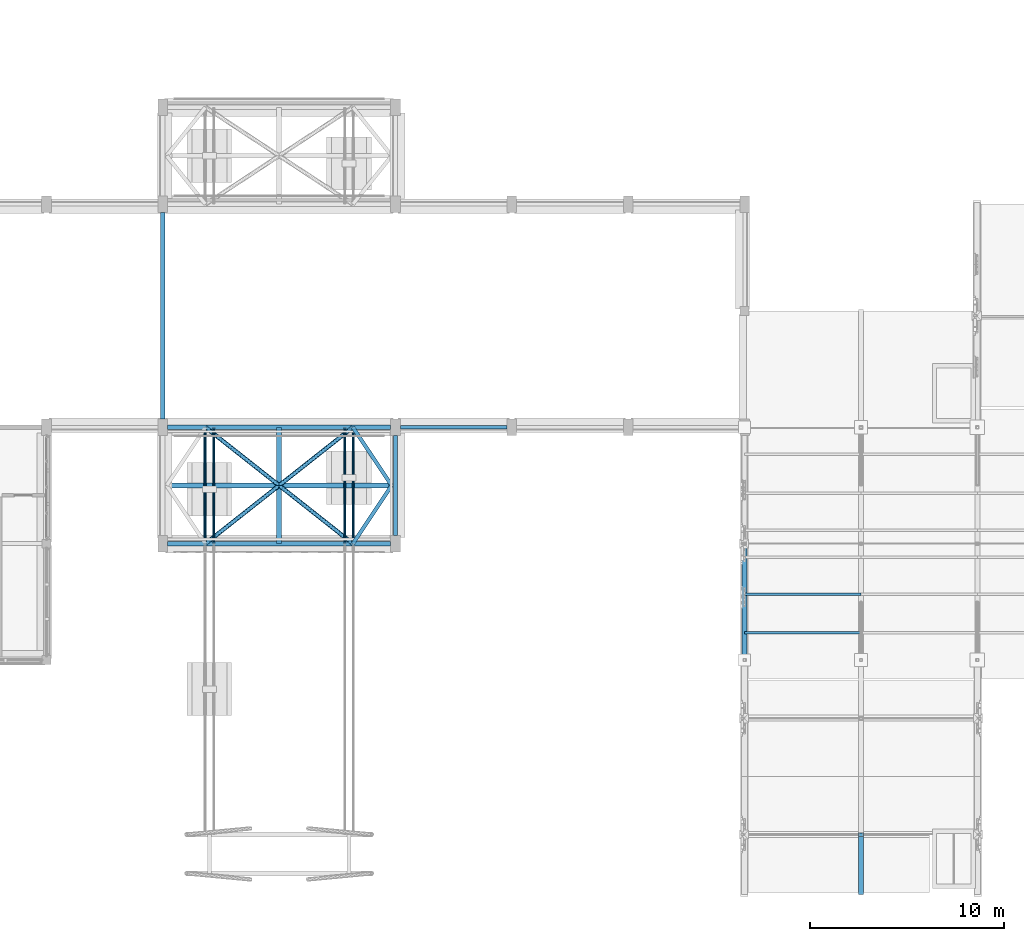
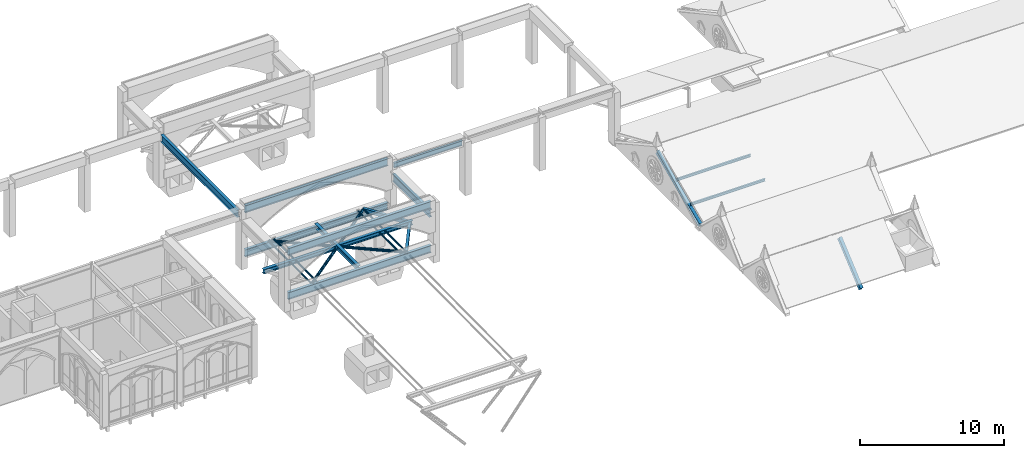
# One storey, part 24 of 59: 16 members, 7 beams.
"""IFC4 building model written with IfcOpenShell, lengths in metres."""

from ifc_helpers import new_model, si_unit, direction, frame, origin, origin_2d, place, context, subcontext, project, spatial, hollow_rectangle, hollow_circle, i_section, extrude, material, material_profile, profile_set, type_object, element, save


model = new_model("IFC4")

# Units and contexts
model_context = context("Model", 3, precision=1e-05, world=origin(), true_north=direction((0.0, 1.0)))
body_context = subcontext(model_context, "Body", "Model", "MODEL_VIEW")
ifc_project = project(units=[si_unit("LENGTHUNIT", "METRE"), si_unit("AREAUNIT", "SQUARE_METRE"), si_unit("VOLUMEUNIT", "CUBIC_METRE"), si_unit("PLANEANGLEUNIT", "RADIAN"), si_unit("MASSUNIT", "GRAM", prefix="KILO")], contexts=[model_context])

# Site, building, storey
site_placement = place(None, origin())
site = spatial("IfcSite", under=ifc_project, at=site_placement, CompositionType="ELEMENT")
building_placement = place(site_placement, origin())
building = spatial("IfcBuilding", under=site, at=building_placement, Name="Cumevento Cable Car Station", CompositionType="ELEMENT")
storey_placement = place(building_placement, frame((0.0, 0.0, 18.0)))
storey = spatial("IfcBuildingStorey", under=building, at=storey_placement, Name="L05", CompositionType="ELEMENT", Elevation=18.0)

# Members
ifc_material_1 = material(Name="Steel ASTM A572 Grade 50", Category="steel")
ifc_material_profile_1 = material_profile(ifc_material_1, hollow_circle(Radius=0.06982421875, WallThickness=0.008056640625, at=origin_2d()), Name="CHS139.7x8.0")
ifc_profile_set_1 = profile_set([ifc_material_profile_1], Name="Steel ASTM A572 Grade 50")
member_type_1 = type_object("IfcMemberType", Name="Framing Brace BR-02 CHS139.7x8.0", PredefinedType="BRACE", material=ifc_profile_set_1)
for number, where, z_axis, x_axis, name in (
    (1, (90.179931640625, 45.0, 1.3798828125), (0.0, -1.0, 0.0), (1.0, 0.0, 0.0), "Portal Throat Track Rope A #657"),
    (2, (90.6201171875, 45.0, 1.3798828125), (0.0, -1.0, 0.0), (1.0, 0.0, 0.0), "Portal Throat Track Rope B #661"),
    (3, (97.3798828125, 45.0, 1.3798828125), (0.0, -1.0, 0.0), (1.0, 0.0, 0.0), "Portal Throat Track Rope A #665"),
    (4, (97.820068359375, 45.0, 1.3798828125), (0.0, -1.0, 0.0), (1.0, 0.0, 0.0), "Portal Throat Track Rope B #669"),
):
    element("IfcMember", number, at=place(storey_placement, frame(where, z_axis=z_axis, x_axis=x_axis)), inside=storey, type_object=member_type_1, Name=name, PredefinedType="BRACE", context=body_context, shape_type="SweptSolid", body=[
        extrude(hollow_circle(Radius=0.06982421875, WallThickness=0.008056640625, at=origin_2d()), origin(), (0.0, 0.0, 1.0), 6.0),
    ])
ifc_material_2 = material(Name="Steel ASTM A572 Grade 50", Category="steel")
ifc_material_profile_2 = material_profile(ifc_material_2, hollow_circle(Radius=0.109619140625, WallThickness=0.012451171875, at=origin_2d()), Name="CHS219.1x12.5")
ifc_profile_set_2 = profile_set([ifc_material_profile_2], Name="Steel ASTM A572 Grade 50")
member_type_2 = type_object("IfcMemberType", Name="Framing Brace TD-01 CHS219.1x12.5", PredefinedType="BRACE", material=ifc_profile_set_2)
for number, where, z_axis, x_axis, name in (
    (5, (94.0, 42.0, 1.3798828125), (-0.784886637851, 0.619639383612, 0.0), (-0.619639383612, -0.784886637851, 0.0), "South Downhill Foothill Ropeway Cabin Portal Bullwheel Radial Spoke #485"),
    (6, (94.0, 42.0, 1.3798828125), (0.784886637851, 0.619639383612, 0.0), (-0.619639383612, 0.784886637851, 0.0), "South Downhill Foothill Ropeway Cabin Portal Bullwheel Radial Spoke #487"),
    (7, (94.0, 42.0, 1.3798828125), (0.784886637851, -0.619639383612, 0.0), (0.619639383612, 0.784886637851, 0.0), "South Downhill Foothill Ropeway Cabin Portal Bullwheel Radial Spoke #489"),
    (8, (94.0, 42.0, 1.3798828125), (-0.784886637851, -0.619639383612, 0.0), (0.619639383612, -0.784886637851, 0.0), "South Downhill Foothill Ropeway Cabin Portal Bullwheel Radial Spoke #491"),
):
    element("IfcMember", number, at=place(storey_placement, frame(where, z_axis=z_axis, x_axis=x_axis)), inside=storey, type_object=member_type_2, Name=name, PredefinedType="BRACE", context=body_context, shape_type="SweptSolid", body=[
        extrude(hollow_circle(Radius=0.109619140625, WallThickness=0.012451171875, at=origin_2d()), origin(), (0.0, 0.0, 1.0), 4.841552734375),
    ])
ifc_material_3 = material(Name="Steel ASTM A572 Grade 50", Category="steel")
ifc_material_profile_3 = material_profile(ifc_material_3, i_section(OverallWidth=0.257080078125, OverallDepth=0.363037109375, WebThickness=0.012939453125, FlangeThickness=0.021728515625, at=origin_2d()), Name="W360x122.0")
ifc_profile_set_3 = profile_set([ifc_material_profile_3], Name="Steel ASTM A572 Grade 50")
member_type_3 = type_object("IfcMemberType", Name="Framing Chord TC-01 W360x122.0", PredefinedType="CHORD", material=ifc_profile_set_3)
member_1_placement = place(storey_placement, frame((94.0, 39.0, 1.3798828125), z_axis=(0.0, 1.0, 0.0), x_axis=(-1.0, 0.0, 0.0)))
element("IfcMember", 9, at=member_1_placement, inside=storey, type_object=member_type_3, Name="South Downhill Foothill Ropeway Cabin Portal Bullwheel Spine Carrier #483", PredefinedType="CHORD", context=body_context, shape_type="SweptSolid", body=[
    extrude(i_section(OverallWidth=0.257080078125, OverallDepth=0.363037109375, WebThickness=0.012939453125, FlangeThickness=0.021728515625, at=origin_2d()), origin(), (0.0, 0.0, 1.0), 6.0),
])
member_2_placement = place(storey_placement, frame((88.0, 42.0, 1.3798828125), z_axis=(1.0, 0.0, 0.0), x_axis=(0.0, 1.0, 0.0)))
element("IfcMember", 10, at=member_2_placement, inside=storey, type_object=member_type_3, Name="South Downhill Foothill Ropeway Cabin Portal Bullwheel Cross Carrier #484", PredefinedType="CHORD", context=body_context, shape_type="SweptSolid", body=[
    extrude(i_section(OverallWidth=0.257080078125, OverallDepth=0.363037109375, WebThickness=0.012939453125, FlangeThickness=0.021728515625, at=origin_2d()), origin(), (0.0, 0.0, 1.0), 12.0),
])
ifc_material_4 = material(Name="Steel ASTM A572 Grade 50", Category="steel")
ifc_material_profile_4 = material_profile(ifc_material_4, i_section(OverallWidth=0.25390625, OverallDepth=0.305908203125, WebThickness=0.0087890625, FlangeThickness=0.0146484375, at=origin_2d()), Name="W310x79.0")
ifc_profile_set_4 = profile_set([ifc_material_profile_4], Name="Steel ASTM A572 Grade 50")
member_type_4 = type_object("IfcMemberType", Name="Framing Chord TC-03 W310x79.0", PredefinedType="CHORD", material=ifc_profile_set_4)
member_3_placement = place(storey_placement, frame((118.0, 33.0, 0.280029296875), z_axis=(0.0, 0.917059377477, 0.398750671701), x_axis=(-1.0, 0.0, 0.0)))
element("IfcMember", 11, at=member_3_placement, inside=storey, type_object=member_type_4, Name="Cabin Garage Truss Top Chord #338", PredefinedType="CHORD", context=body_context, shape_type="SweptSolid", body=[
    extrude(i_section(OverallWidth=0.25390625, OverallDepth=0.305908203125, WebThickness=0.0087890625, FlangeThickness=0.0146484375, at=origin_2d()), origin(), (0.0, 0.0, 1.0), 6.542724609375),
])
member_4_placement = place(storey_placement, frame((124.0, 21.0, 0.0), z_axis=(0.0, 0.761933198092, 0.647655619635), x_axis=(-1.0, 0.0, 0.0)))
element("IfcMember", 12, at=member_4_placement, inside=storey, type_object=member_type_4, Name="Wing B_V4b_core Rafter #767", PredefinedType="CHORD", context=body_context, shape_type="SweptSolid", body=[
    extrude(i_section(OverallWidth=0.25390625, OverallDepth=0.305908203125, WebThickness=0.0087890625, FlangeThickness=0.0146484375, at=origin_2d()), origin(), (0.0, 0.0, 1.0), 3.937255859375),
])
ifc_material_5 = material(Name="Steel ASTM A572 Grade 50", Category="steel")
ifc_material_profile_5 = material_profile(ifc_material_5, hollow_rectangle(XDim=0.199951171875, YDim=0.300048828125, WallThickness=0.012451171875, at=origin_2d()), Name="HSS300x200x12.5")
ifc_profile_set_5 = profile_set([ifc_material_profile_5], Name="Steel ASTM A572 Grade 50")
member_type_5 = type_object("IfcMemberType", Name="Framing Chord TC-04 HSS300x200x12.5", PredefinedType="CHORD", material=ifc_profile_set_5)
for number, where, z_axis, x_axis, name in (
    (13, (97.800048828125, 45.0, 1.3798828125), (0.554700196225, -0.832050294338, 0.0), (0.832050294338, 0.554700196225, 0.0), "South Downhill Foothill Ropeway Cabin Portal Bullwheel Rim Segment #486"),
    (14, (99.800048828125, 42.0, 1.3798828125), (-0.554700196225, -0.832050294338, 0.0), (0.832050294338, -0.554700196225, 0.0), "South Downhill Foothill Ropeway Cabin Portal Bullwheel Rim Segment #488"),
):
    element("IfcMember", number, at=place(storey_placement, frame(where, z_axis=z_axis, x_axis=x_axis)), inside=storey, type_object=member_type_5, Name=name, PredefinedType="CHORD", context=body_context, shape_type="SweptSolid", body=[
        extrude(hollow_rectangle(XDim=0.199951171875, YDim=0.300048828125, WallThickness=0.012451171875, at=origin_2d()), origin(), (0.0, 0.0, 1.0), 3.60546875),
    ])
ifc_material_6 = material(Name="Steel ASTM A572 Grade 50", Category="steel")
ifc_material_profile_6 = material_profile(ifc_material_6, i_section(OverallWidth=0.133056640625, OverallDepth=0.20703125, WebThickness=0.005859375, FlangeThickness=0.00830078125, at=origin_2d()), Name="W200x26.6")
ifc_profile_set_6 = profile_set([ifc_material_profile_6], Name="Steel ASTM A572 Grade 50")
member_type_6 = type_object("IfcMemberType", Name="Framing Purlin PR-02 W200x26.6", PredefinedType="PURLIN", material=ifc_profile_set_6)
for number, where, z_axis, x_axis, name in (
    (15, (118.0, 34.39990234375, 1.169677734375), (1.0, 0.0, 0.0), (0.0, 1.0, 0.0), "Cabin Garage Purlin #397"),
    (16, (118.0, 36.39990234375, 2.039306640625), (1.0, 0.0, 0.0), (0.0, 1.0, 0.0), "Cabin Garage Purlin #398"),
):
    element("IfcMember", number, at=place(storey_placement, frame(where, z_axis=z_axis, x_axis=x_axis)), inside=storey, type_object=member_type_6, Name=name, PredefinedType="PURLIN", context=body_context, shape_type="SweptSolid", body=[
        extrude(i_section(OverallWidth=0.133056640625, OverallDepth=0.20703125, WebThickness=0.005859375, FlangeThickness=0.00830078125, at=origin_2d()), origin(), (0.0, 0.0, 1.0), 6.0),
    ])

# Beams
ifc_material_7 = material(Name="Steel ASTM A572 Grade 50", Category="steel")
ifc_material_profile_7 = material_profile(ifc_material_7, i_section(OverallWidth=0.22998046875, OverallDepth=0.616943359375, WebThickness=0.01318359375, FlangeThickness=0.022216796875, at=origin_2d()), Name="W610x140.0")
ifc_profile_set_7 = profile_set([ifc_material_profile_7], Name="Steel ASTM A572 Grade 50")
beam_type_1 = type_object("IfcBeamType", Name="Structural Beam BM-01 W610x140.0", PredefinedType="BEAM", material=ifc_profile_set_7)
beam_1_placement = place(storey_placement, frame((88.0, 45.425048828125, 4.19140625), z_axis=(0.0, 1.0, 0.0), x_axis=(-1.0, 0.0, 0.0)))
element("IfcBeam", 17, at=beam_1_placement, inside=storey, type_object=beam_type_1, Name="Beam BM-01 L05 #1622", PredefinedType="BEAM", context=body_context, shape_type="SweptSolid", body=[
    extrude(i_section(OverallWidth=0.22998046875, OverallDepth=0.616943359375, WebThickness=0.01318359375, FlangeThickness=0.022216796875, at=origin_2d()), origin(), (0.0, 0.0, 1.0), 10.64990234375),
])
for number, where, z_axis, x_axis, name in (
    (18, (88.25, 45.0, 4.79150390625), (1.0, 0.0, 0.0), (0.0, 1.0, 0.0), "Cabin Throat Clear-Span Header Girder Y=45.0"),
    (19, (88.25, 45.0, 1.04150390625), (1.0, 0.0, 0.0), (0.0, 1.0, 0.0), "Cabin Throat Overhead Ropeway Saddle Girder Y=45.0"),
    (20, (88.25, 39.0, 4.79150390625), (1.0, 0.0, 0.0), (0.0, 1.0, 0.0), "South Downhill Foothill Ropeway Cabin Portal Outer Arch Header Girder"),
    (21, (88.25, 39.0, 1.04150390625), (1.0, 0.0, 0.0), (0.0, 1.0, 0.0), "South Downhill Foothill Ropeway Cabin Portal Outer Ropeway Saddle Girder"),
):
    element("IfcBeam", number, at=place(storey_placement, frame(where, z_axis=z_axis, x_axis=x_axis)), inside=storey, type_object=beam_type_1, Name=name, PredefinedType="BEAM", context=body_context, shape_type="SweptSolid", body=[
        extrude(i_section(OverallWidth=0.22998046875, OverallDepth=0.616943359375, WebThickness=0.01318359375, FlangeThickness=0.022216796875, at=origin_2d()), origin(), (0.0, 0.0, 1.0), 11.5),
    ])
ifc_material_8 = material(Name="Steel ASTM A572 Grade 50", Category="steel")
ifc_material_profile_8 = material_profile(ifc_material_8, i_section(OverallWidth=0.22802734375, OverallDepth=0.60791015625, WebThickness=0.01123046875, FlangeThickness=0.017333984375, at=origin_2d()), Name="W610x113.0")
ifc_profile_set_8 = profile_set([ifc_material_profile_8], Name="Steel ASTM A572 Grade 50")
beam_type_2 = type_object("IfcBeamType", Name="Structural Beam BM-02 W610x113.0", PredefinedType="BEAM", material=ifc_profile_set_8)
beam_2_placement = place(storey_placement, frame((100.0, 39.425048828125, 3.64599609375), z_axis=(0.0, 1.0, 0.0), x_axis=(-1.0, 0.0, 0.0)))
element("IfcBeam", 22, at=beam_2_placement, inside=storey, type_object=beam_type_2, Name="South Downhill Foothill Ropeway Cabin Portal Buttress Tie Girder L05 #98", PredefinedType="BEAM", context=body_context, shape_type="SweptSolid", body=[
    extrude(i_section(OverallWidth=0.22802734375, OverallDepth=0.60791015625, WebThickness=0.01123046875, FlangeThickness=0.017333984375, at=origin_2d()), origin(), (0.0, 0.0, 1.0), 5.14990234375),
])
ifc_material_9 = material(Name="Steel ASTM A572 Grade 50", Category="steel")
ifc_material_profile_9 = material_profile(ifc_material_9, i_section(OverallWidth=0.177978515625, OverallDepth=0.406982421875, WebThickness=0.0078125, FlangeThickness=0.0126953125, at=origin_2d()), Name="W410x60.0")
ifc_profile_set_9 = profile_set([ifc_material_profile_9], Name="Steel ASTM A572 Grade 50")
beam_type_3 = type_object("IfcBeamType", Name="Structural Spandrel SP-01 W410x60.0", PredefinedType="SPANDREL", material=ifc_profile_set_9)
beam_3_placement = place(storey_placement, frame((100.25, 45.0, 4.29638671875), z_axis=(1.0, 0.0, 0.0), x_axis=(0.0, 1.0, 0.0)))
element("IfcBeam", 23, at=beam_3_placement, inside=storey, type_object=beam_type_3, Name="Beam SP-01 L05 #1623", PredefinedType="SPANDREL", context=body_context, shape_type="SweptSolid", body=[
    extrude(i_section(OverallWidth=0.177978515625, OverallDepth=0.406982421875, WebThickness=0.0078125, FlangeThickness=0.0126953125, at=origin_2d()), origin(), (0.0, 0.0, 1.0), 5.5),
])

save(model, "model.ifc")
